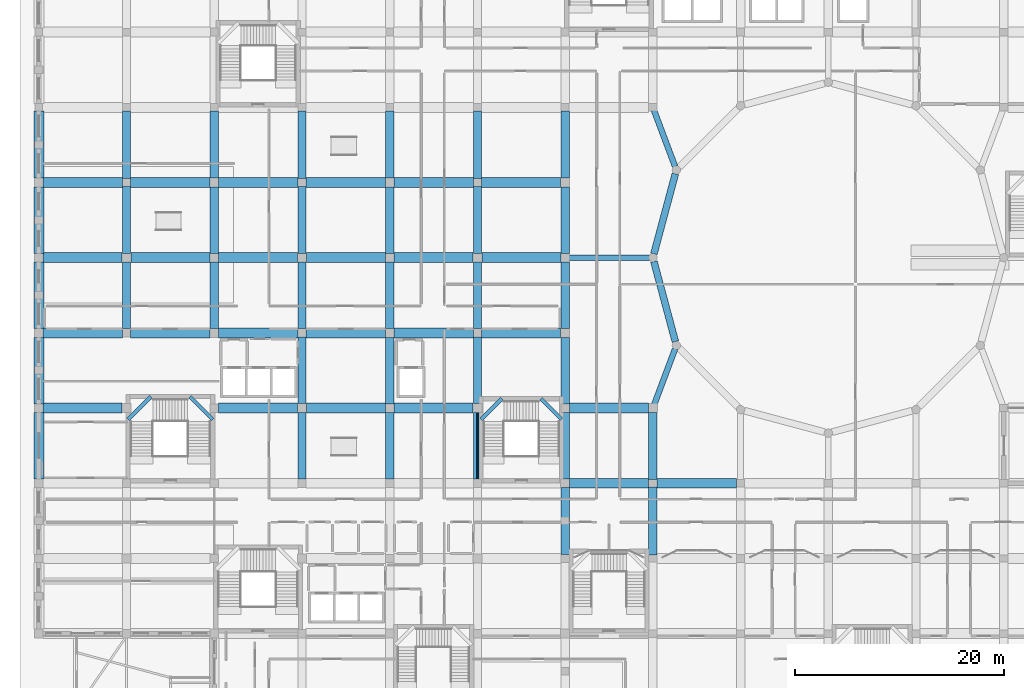
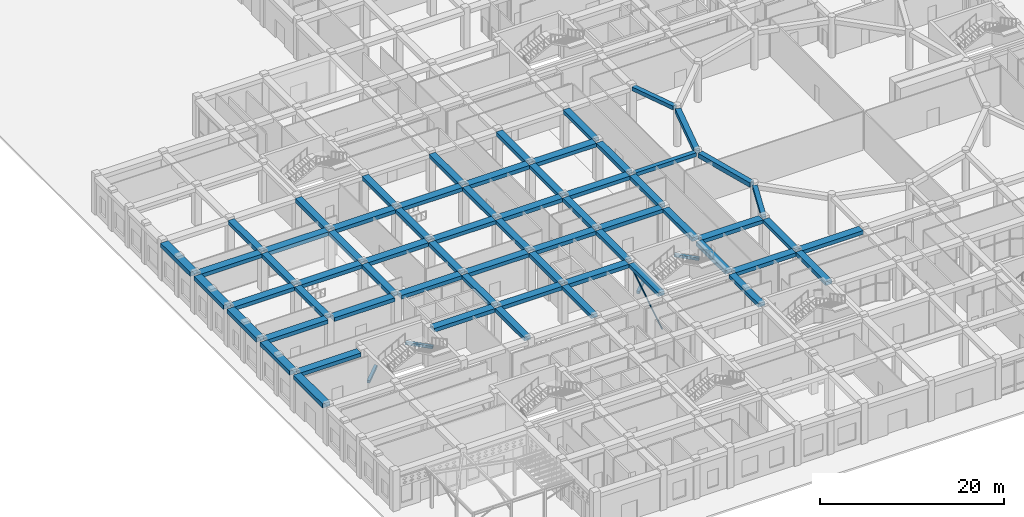
# One storey, part 7 of 84: 68 beams, 1 member.
"""IFC4 building model written with IfcOpenShell, lengths in metres."""

from ifc_helpers import new_model, si_unit, derived_unit, direction, frame, origin, origin_2d, place, context, subcontext, project, spatial, rectangle, hollow_circle, extrude, material, material_profile, profile_set, type_object, element, save


model = new_model("IFC4")

# Units and contexts
model_context = context("Model", 3, precision=1e-05, world=origin(), true_north=direction((0.0, 1.0)))
body_context = subcontext(model_context, "Body", "Model", "MODEL_VIEW")
ifc_project = project(units=[si_unit("LENGTHUNIT", "METRE"), si_unit("AREAUNIT", "SQUARE_METRE"), si_unit("VOLUMEUNIT", "CUBIC_METRE"), si_unit("PLANEANGLEUNIT", "RADIAN"), si_unit("MASSUNIT", "GRAM", prefix="KILO"), derived_unit("THERMALTRANSMITTANCEUNIT", [(si_unit("POWERUNIT", "WATT"), 1), (si_unit("LENGTHUNIT", "METRE"), -2), (si_unit("THERMODYNAMICTEMPERATUREUNIT", "KELVIN"), -1)])], contexts=[model_context])

# Site, building, storey
site_placement = place(None, origin())
site = spatial("IfcSite", under=ifc_project, at=site_placement, CompositionType="ELEMENT")
building_placement = place(site_placement, origin())
building = spatial("IfcBuilding", under=site, at=building_placement, Name="Veybourne Emporium", CompositionType="ELEMENT")
storey_placement = place(building_placement, origin())
storey = spatial("IfcBuildingStorey", under=building, at=storey_placement, Name="L00", CompositionType="ELEMENT", Elevation=0.0)

# Beams
ifc_material_1 = material(Name="Concrete C32/40", Category="concrete")
ifc_material_profile_1 = material_profile(ifc_material_1, rectangle(XDim=0.35009765625, YDim=0.35009765625, at=origin_2d()), Name="RC 350x350")
ifc_profile_set_1 = profile_set([ifc_material_profile_1], Name="Concrete C32/40")
beam_type_1 = type_object("IfcBeamType", Name="LandingBeam_LB-01", PredefinedType="BEAM", material=ifc_profile_set_1)
for number, where, z_axis, x_axis, name in (
    (1, (8.550048828125, 34.919921875, 1.425048828125), (0.707067186216, 0.70714637394, 0.0), (-0.70714637394, 0.707067186216, 0.0), "L00 ST-02 landing 1 support beam"),
    (2, (14.469970703125, 37.10009765625, 3.22509765625), (0.707067186216, -0.70714637394, 0.0), (0.70714637394, 0.707067186216, 0.0), "L00 ST-02 landing 2 support beam"),
):
    element("IfcBeam", number, at=place(storey_placement, frame(where, z_axis=z_axis, x_axis=x_axis)), inside=storey, type_object=beam_type_1, Name=name, PredefinedType="BEAM", context=body_context, shape_type="SweptSolid", body=[
        extrude(rectangle(XDim=0.35009765625, YDim=0.35009765625, at=origin_2d()), origin(), (0.0, 0.0, 1.0), 3.0830078125),
    ])
for number, where, z_axis, x_axis, name in (
    (3, (42.35009765625, 34.919921875, 1.425048828125), (0.707106781187, 0.707106781187, 0.0), (-0.707106781187, 0.707106781187, 0.0), "L00 ST-05 landing 1 support beam"),
    (4, (48.070068359375, 36.89990234375, 3.22509765625), (0.707106781187, -0.707106781187, 0.0), (0.707106781187, 0.707106781187, 0.0), "L00 ST-05 landing 2 support beam"),
):
    element("IfcBeam", number, at=place(storey_placement, frame(where, z_axis=z_axis, x_axis=x_axis)), inside=storey, type_object=beam_type_1, Name=name, PredefinedType="BEAM", context=body_context, shape_type="SweptSolid", body=[
        extrude(rectangle(XDim=0.35009765625, YDim=0.35009765625, at=origin_2d()), origin(), (0.0, 0.0, 1.0), 2.800048828125),
    ])
ifc_material_profile_2 = material_profile(ifc_material_1, rectangle(XDim=0.949951171875, YDim=0.5, at=origin_2d()), Name="RC 950x500")
ifc_profile_set_2 = profile_set([ifc_material_profile_2], Name="Concrete C32/40")
beam_type_2 = type_object("IfcBeamType", Name="RCBeam_BB-01", PredefinedType="BEAM", material=ifc_profile_set_2)
beam_1_placement = place(storey_placement, frame((0.39990234375, 36.0, 4.830078125), z_axis=(1.0, 0.0, 0.0), x_axis=(0.0, 1.0, 0.0)))
element("IfcBeam", 5, at=beam_1_placement, inside=storey, type_object=beam_type_2, Name="L00 X-grid beam BB-01 (0,5)", PredefinedType="BEAM", context=body_context, shape_type="SweptSolid", body=[
    extrude(rectangle(XDim=0.949951171875, YDim=0.5, at=origin_2d()), origin(), (0.0, 0.0, 1.0), 7.5751953125),
])
beam_2_placement = place(storey_placement, frame((0.425048828125, 43.199951171875, 4.830078125), z_axis=(1.0, 0.0, 0.0), x_axis=(0.0, 1.0, 0.0)))
element("IfcBeam", 6, at=beam_2_placement, inside=storey, type_object=beam_type_2, Name="L00 X-grid beam BB-01 (0,6)", PredefinedType="BEAM", context=body_context, shape_type="SweptSolid", body=[
    extrude(rectangle(XDim=0.949951171875, YDim=0.5, at=origin_2d()), origin(), (0.0, 0.0, 1.0), 7.574951171875),
])
beam_3_placement = place(storey_placement, frame((0.39990234375, 50.39990234375, 4.830078125), z_axis=(1.0, 0.0, 0.0), x_axis=(0.0, 1.0, 0.0)))
element("IfcBeam", 7, at=beam_3_placement, inside=storey, type_object=beam_type_2, Name="L00 X-grid beam BB-01 (0,7)", PredefinedType="BEAM", context=body_context, shape_type="SweptSolid", body=[
    extrude(rectangle(XDim=0.949951171875, YDim=0.5, at=origin_2d()), origin(), (0.0, 0.0, 1.0), 7.5751953125),
])
for number, where, z_axis, x_axis, name in (
    (8, (0.425048828125, 57.60009765625, 4.830078125), (1.0, 0.0, 0.0), (0.0, 1.0, 0.0), "L00 X-grid beam BB-01 (0,8)"),
    (9, (8.800048828125, 43.199951171875, 4.830078125), (1.0, 0.0, 0.0), (0.0, 1.0, 0.0), "L00 X-grid beam BB-01 (1,6)"),
    (10, (8.824951171875, 50.39990234375, 4.830078125), (1.0, 0.0, 0.0), (0.0, 1.0, 0.0), "L00 X-grid beam BB-01 (1,7)"),
    (11, (8.800048828125, 57.60009765625, 4.830078125), (1.0, 0.0, 0.0), (0.0, 1.0, 0.0), "L00 X-grid beam BB-01 (1,8)"),
    (12, (17.199951171875, 36.0, 4.830078125), (1.0, 0.0, 0.0), (0.0, 1.0, 0.0), "L00 X-grid beam BB-01 (2,5)"),
    (13, (17.22509765625, 43.199951171875, 4.830078125), (1.0, 0.0, 0.0), (0.0, 1.0, 0.0), "L00 X-grid beam BB-01 (2,6)"),
    (14, (17.199951171875, 50.39990234375, 4.830078125), (1.0, 0.0, 0.0), (0.0, 1.0, 0.0), "L00 X-grid beam BB-01 (2,7)"),
    (15, (17.22509765625, 57.60009765625, 4.830078125), (1.0, 0.0, 0.0), (0.0, 1.0, 0.0), "L00 X-grid beam BB-01 (2,8)"),
    (16, (25.625, 36.0, 4.830078125), (1.0, 0.0, 0.0), (0.0, 1.0, 0.0), "L00 X-grid beam BB-01 (3,5)"),
    (17, (25.60009765625, 43.199951171875, 4.830078125), (1.0, 0.0, 0.0), (0.0, 1.0, 0.0), "L00 X-grid beam BB-01 (3,6)"),
    (18, (25.625, 50.39990234375, 4.830078125), (1.0, 0.0, 0.0), (0.0, 1.0, 0.0), "L00 X-grid beam BB-01 (3,7)"),
    (19, (25.60009765625, 57.60009765625, 4.830078125), (1.0, 0.0, 0.0), (0.0, 1.0, 0.0), "L00 X-grid beam BB-01 (3,8)"),
    (20, (34.0, 36.0, 4.830078125), (1.0, 0.0, 0.0), (0.0, 1.0, 0.0), "L00 X-grid beam BB-01 (4,5)"),
):
    element("IfcBeam", number, at=place(storey_placement, frame(where, z_axis=z_axis, x_axis=x_axis)), inside=storey, type_object=beam_type_2, Name=name, PredefinedType="BEAM", context=body_context, shape_type="SweptSolid", body=[
        extrude(rectangle(XDim=0.949951171875, YDim=0.5, at=origin_2d()), origin(), (0.0, 0.0, 1.0), 7.574951171875),
    ])
beam_4_placement = place(storey_placement, frame((34.02490234375, 43.199951171875, 4.830078125), z_axis=(1.0, 0.0, 0.0), x_axis=(0.0, 1.0, 0.0)))
element("IfcBeam", 21, at=beam_4_placement, inside=storey, type_object=beam_type_2, Name="L00 X-grid beam BB-01 (4,6)", PredefinedType="BEAM", context=body_context, shape_type="SweptSolid", body=[
    extrude(rectangle(XDim=0.949951171875, YDim=0.5, at=origin_2d()), origin(), (0.0, 0.0, 1.0), 7.5751953125),
])
beam_5_placement = place(storey_placement, frame((34.0, 50.39990234375, 4.830078125), z_axis=(1.0, 0.0, 0.0), x_axis=(0.0, 1.0, 0.0)))
element("IfcBeam", 22, at=beam_5_placement, inside=storey, type_object=beam_type_2, Name="L00 X-grid beam BB-01 (4,7)", PredefinedType="BEAM", context=body_context, shape_type="SweptSolid", body=[
    extrude(rectangle(XDim=0.949951171875, YDim=0.5, at=origin_2d()), origin(), (0.0, 0.0, 1.0), 7.574951171875),
])
for number, where, z_axis, x_axis, name in (
    (23, (34.02490234375, 57.60009765625, 4.830078125), (1.0, 0.0, 0.0), (0.0, 1.0, 0.0), "L00 X-grid beam BB-01 (4,8)"),
    (24, (42.39990234375, 43.199951171875, 4.830078125), (1.0, 0.0, 0.0), (0.0, 1.0, 0.0), "L00 X-grid beam BB-01 (5,6)"),
):
    element("IfcBeam", number, at=place(storey_placement, frame(where, z_axis=z_axis, x_axis=x_axis)), inside=storey, type_object=beam_type_2, Name=name, PredefinedType="BEAM", context=body_context, shape_type="SweptSolid", body=[
        extrude(rectangle(XDim=0.949951171875, YDim=0.5, at=origin_2d()), origin(), (0.0, 0.0, 1.0), 7.5751953125),
    ])
beam_6_placement = place(storey_placement, frame((42.425048828125, 50.39990234375, 4.830078125), z_axis=(1.0, 0.0, 0.0), x_axis=(0.0, 1.0, 0.0)))
element("IfcBeam", 25, at=beam_6_placement, inside=storey, type_object=beam_type_2, Name="L00 X-grid beam BB-01 (5,7)", PredefinedType="BEAM", context=body_context, shape_type="SweptSolid", body=[
    extrude(rectangle(XDim=0.949951171875, YDim=0.5, at=origin_2d()), origin(), (0.0, 0.0, 1.0), 7.574951171875),
])
beam_7_placement = place(storey_placement, frame((42.39990234375, 57.60009765625, 4.830078125), z_axis=(1.0, 0.0, 0.0), x_axis=(0.0, 1.0, 0.0)))
element("IfcBeam", 26, at=beam_7_placement, inside=storey, type_object=beam_type_2, Name="L00 X-grid beam BB-01 (5,8)", PredefinedType="BEAM", context=body_context, shape_type="SweptSolid", body=[
    extrude(rectangle(XDim=0.949951171875, YDim=0.5, at=origin_2d()), origin(), (0.0, 0.0, 1.0), 7.5751953125),
])
for number, where, z_axis, x_axis, name in (
    (27, (50.824951171875, 28.800048828125, 4.830078125), (1.0, 0.0, 0.0), (0.0, 1.0, 0.0), "L00 X-grid beam BB-01 (6,4)"),
    (28, (50.800048828125, 36.0, 4.830078125), (1.0, 0.0, 0.0), (0.0, 1.0, 0.0), "L00 X-grid beam BB-01 (6,5)"),
):
    element("IfcBeam", number, at=place(storey_placement, frame(where, z_axis=z_axis, x_axis=x_axis)), inside=storey, type_object=beam_type_2, Name=name, PredefinedType="BEAM", context=body_context, shape_type="SweptSolid", body=[
        extrude(rectangle(XDim=0.949951171875, YDim=0.5, at=origin_2d()), origin(), (0.0, 0.0, 1.0), 7.574951171875),
    ])
beam_8_placement = place(storey_placement, frame((59.199951171875, 28.800048828125, 4.830078125), z_axis=(1.0, 0.0, 0.0), x_axis=(0.0, 1.0, 0.0)))
element("IfcBeam", 29, at=beam_8_placement, inside=storey, type_object=beam_type_2, Name="L00 X-grid beam BB-01 (7,4)", PredefinedType="BEAM", context=body_context, shape_type="SweptSolid", body=[
    extrude(rectangle(XDim=0.949951171875, YDim=0.5, at=origin_2d()), origin(), (0.0, 0.0, 1.0), 7.625),
])
ifc_material_profile_3 = material_profile(ifc_material_1, rectangle(XDim=0.800048828125, YDim=0.5, at=origin_2d()), Name="RC 800x500")
ifc_profile_set_3 = profile_set([ifc_material_profile_3], Name="Concrete C32/40")
beam_type_3 = type_object("IfcBeamType", Name="RCBeam_BB-02", PredefinedType="BEAM", material=ifc_profile_set_3)
for number, where, z_axis, x_axis, name in (
    (30, (8.39990234375, 43.60009765625, 4.830078125), (0.0, 1.0, 0.0), (-1.0, 0.0, 0.0), "L00 Y-grid beam BB-02 (1,6)"),
    (31, (8.39990234375, 50.824951171875, 4.830078125), (0.0, 1.0, 0.0), (-1.0, 0.0, 0.0), "L00 Y-grid beam BB-02 (1,7)"),
):
    element("IfcBeam", number, at=place(storey_placement, frame(where, z_axis=z_axis, x_axis=x_axis)), inside=storey, type_object=beam_type_3, Name=name, PredefinedType="BEAM", context=body_context, shape_type="SweptSolid", body=[
        extrude(rectangle(XDim=0.800048828125, YDim=0.5, at=origin_2d()), origin(), (0.0, 0.0, 1.0), 6.375),
    ])
beam_9_placement = place(storey_placement, frame((8.39990234375, 58.0, 4.830078125), z_axis=(0.0, 1.0, 0.0), x_axis=(-1.0, 0.0, 0.0)))
element("IfcBeam", 32, at=beam_9_placement, inside=storey, type_object=beam_type_3, Name="L00 Y-grid beam BB-02 (1,8)", PredefinedType="BEAM", context=body_context, shape_type="SweptSolid", body=[
    extrude(rectangle(XDim=0.800048828125, YDim=0.5, at=origin_2d()), origin(), (0.0, 0.0, 1.0), 6.449951171875),
])
for number, where, z_axis, x_axis, name in (
    (33, (16.800048828125, 43.625, 4.830078125), (0.0, 1.0, 0.0), (-1.0, 0.0, 0.0), "L00 Y-grid beam BB-02 (2,6)"),
    (34, (16.800048828125, 50.800048828125, 4.830078125), (0.0, 1.0, 0.0), (-1.0, 0.0, 0.0), "L00 Y-grid beam BB-02 (2,7)"),
):
    element("IfcBeam", number, at=place(storey_placement, frame(where, z_axis=z_axis, x_axis=x_axis)), inside=storey, type_object=beam_type_3, Name=name, PredefinedType="BEAM", context=body_context, shape_type="SweptSolid", body=[
        extrude(rectangle(XDim=0.800048828125, YDim=0.5, at=origin_2d()), origin(), (0.0, 0.0, 1.0), 6.375),
    ])
beam_10_placement = place(storey_placement, frame((16.800048828125, 58.02490234375, 4.830078125), z_axis=(0.0, 1.0, 0.0), x_axis=(-1.0, 0.0, 0.0)))
element("IfcBeam", 35, at=beam_10_placement, inside=storey, type_object=beam_type_3, Name="L00 Y-grid beam BB-02 (2,8)", PredefinedType="BEAM", context=body_context, shape_type="SweptSolid", body=[
    extrude(rectangle(XDim=0.800048828125, YDim=0.5, at=origin_2d()), origin(), (0.0, 0.0, 1.0), 6.400146484375),
])
for number, where, z_axis, x_axis, name in (
    (36, (25.199951171875, 29.199951171875, 4.830078125), (0.0, 1.0, 0.0), (-1.0, 0.0, 0.0), "L00 Y-grid beam BB-02 (3,4)"),
    (37, (25.199951171875, 36.425048828125, 4.830078125), (0.0, 1.0, 0.0), (-1.0, 0.0, 0.0), "L00 Y-grid beam BB-02 (3,5)"),
    (38, (25.199951171875, 43.60009765625, 4.830078125), (0.0, 1.0, 0.0), (-1.0, 0.0, 0.0), "L00 Y-grid beam BB-02 (3,6)"),
    (39, (25.199951171875, 50.824951171875, 4.830078125), (0.0, 1.0, 0.0), (-1.0, 0.0, 0.0), "L00 Y-grid beam BB-02 (3,7)"),
):
    element("IfcBeam", number, at=place(storey_placement, frame(where, z_axis=z_axis, x_axis=x_axis)), inside=storey, type_object=beam_type_3, Name=name, PredefinedType="BEAM", context=body_context, shape_type="SweptSolid", body=[
        extrude(rectangle(XDim=0.800048828125, YDim=0.5, at=origin_2d()), origin(), (0.0, 0.0, 1.0), 6.375),
    ])
beam_11_placement = place(storey_placement, frame((25.199951171875, 58.0, 4.830078125), z_axis=(0.0, 1.0, 0.0), x_axis=(-1.0, 0.0, 0.0)))
element("IfcBeam", 40, at=beam_11_placement, inside=storey, type_object=beam_type_3, Name="L00 Y-grid beam BB-02 (3,8)", PredefinedType="BEAM", context=body_context, shape_type="SweptSolid", body=[
    extrude(rectangle(XDim=0.800048828125, YDim=0.5, at=origin_2d()), origin(), (0.0, 0.0, 1.0), 6.449951171875),
])
for number, where, z_axis, x_axis, name in (
    (41, (33.60009765625, 29.22509765625, 4.830078125), (0.0, 1.0, 0.0), (-1.0, 0.0, 0.0), "L00 Y-grid beam BB-02 (4,4)"),
    (42, (33.60009765625, 36.39990234375, 4.830078125), (0.0, 1.0, 0.0), (-1.0, 0.0, 0.0), "L00 Y-grid beam BB-02 (4,5)"),
    (43, (33.60009765625, 43.625, 4.830078125), (0.0, 1.0, 0.0), (-1.0, 0.0, 0.0), "L00 Y-grid beam BB-02 (4,6)"),
    (44, (33.60009765625, 50.800048828125, 4.830078125), (0.0, 1.0, 0.0), (-1.0, 0.0, 0.0), "L00 Y-grid beam BB-02 (4,7)"),
):
    element("IfcBeam", number, at=place(storey_placement, frame(where, z_axis=z_axis, x_axis=x_axis)), inside=storey, type_object=beam_type_3, Name=name, PredefinedType="BEAM", context=body_context, shape_type="SweptSolid", body=[
        extrude(rectangle(XDim=0.800048828125, YDim=0.5, at=origin_2d()), origin(), (0.0, 0.0, 1.0), 6.375),
    ])
beam_12_placement = place(storey_placement, frame((33.60009765625, 58.02490234375, 4.830078125), z_axis=(0.0, 1.0, 0.0), x_axis=(-1.0, 0.0, 0.0)))
element("IfcBeam", 45, at=beam_12_placement, inside=storey, type_object=beam_type_3, Name="L00 Y-grid beam BB-02 (4,8)", PredefinedType="BEAM", context=body_context, shape_type="SweptSolid", body=[
    extrude(rectangle(XDim=0.800048828125, YDim=0.5, at=origin_2d()), origin(), (0.0, 0.0, 1.0), 6.400146484375),
])
for number, where, z_axis, x_axis, name in (
    (46, (42.0, 29.199951171875, 4.830078125), (0.0, 1.0, 0.0), (-1.0, 0.0, 0.0), "L00 Y-grid beam BB-02 (5,4)"),
    (47, (42.0, 36.425048828125, 4.830078125), (0.0, 1.0, 0.0), (-1.0, 0.0, 0.0), "L00 Y-grid beam BB-02 (5,5)"),
    (48, (42.0, 43.60009765625, 4.830078125), (0.0, 1.0, 0.0), (-1.0, 0.0, 0.0), "L00 Y-grid beam BB-02 (5,6)"),
    (49, (42.0, 50.824951171875, 4.830078125), (0.0, 1.0, 0.0), (-1.0, 0.0, 0.0), "L00 Y-grid beam BB-02 (5,7)"),
):
    element("IfcBeam", number, at=place(storey_placement, frame(where, z_axis=z_axis, x_axis=x_axis)), inside=storey, type_object=beam_type_3, Name=name, PredefinedType="BEAM", context=body_context, shape_type="SweptSolid", body=[
        extrude(rectangle(XDim=0.800048828125, YDim=0.5, at=origin_2d()), origin(), (0.0, 0.0, 1.0), 6.375),
    ])
beam_13_placement = place(storey_placement, frame((42.0, 58.0, 4.830078125), z_axis=(0.0, 1.0, 0.0), x_axis=(-1.0, 0.0, 0.0)))
element("IfcBeam", 50, at=beam_13_placement, inside=storey, type_object=beam_type_3, Name="L00 Y-grid beam BB-02 (5,8)", PredefinedType="BEAM", context=body_context, shape_type="SweptSolid", body=[
    extrude(rectangle(XDim=0.800048828125, YDim=0.5, at=origin_2d()), origin(), (0.0, 0.0, 1.0), 6.449951171875),
])
for number, where, z_axis, x_axis, name in (
    (51, (50.39990234375, 22.0, 4.830078125), (0.0, 1.0, 0.0), (-1.0, 0.0, 0.0), "L00 Y-grid beam BB-02 (6,3)"),
    (52, (50.39990234375, 29.22509765625, 4.830078125), (0.0, 1.0, 0.0), (-1.0, 0.0, 0.0), "L00 Y-grid beam BB-02 (6,4)"),
    (53, (50.39990234375, 36.39990234375, 4.830078125), (0.0, 1.0, 0.0), (-1.0, 0.0, 0.0), "L00 Y-grid beam BB-02 (6,5)"),
    (54, (50.39990234375, 43.625, 4.830078125), (0.0, 1.0, 0.0), (-1.0, 0.0, 0.0), "L00 Y-grid beam BB-02 (6,6)"),
    (55, (50.39990234375, 50.800048828125, 4.830078125), (0.0, 1.0, 0.0), (-1.0, 0.0, 0.0), "L00 Y-grid beam BB-02 (6,7)"),
):
    element("IfcBeam", number, at=place(storey_placement, frame(where, z_axis=z_axis, x_axis=x_axis)), inside=storey, type_object=beam_type_3, Name=name, PredefinedType="BEAM", context=body_context, shape_type="SweptSolid", body=[
        extrude(rectangle(XDim=0.800048828125, YDim=0.5, at=origin_2d()), origin(), (0.0, 0.0, 1.0), 6.375),
    ])
beam_14_placement = place(storey_placement, frame((50.39990234375, 58.02490234375, 4.830078125), z_axis=(0.0, 1.0, 0.0), x_axis=(-1.0, 0.0, 0.0)))
element("IfcBeam", 56, at=beam_14_placement, inside=storey, type_object=beam_type_3, Name="L00 Y-grid beam BB-02 (6,8)", PredefinedType="BEAM", context=body_context, shape_type="SweptSolid", body=[
    extrude(rectangle(XDim=0.800048828125, YDim=0.5, at=origin_2d()), origin(), (0.0, 0.0, 1.0), 6.400146484375),
])
beam_15_placement = place(storey_placement, frame((58.800048828125, 21.949951171875, 4.830078125), z_axis=(0.0, 1.0, 0.0), x_axis=(-1.0, 0.0, 0.0)))
element("IfcBeam", 57, at=beam_15_placement, inside=storey, type_object=beam_type_3, Name="L00 Y-grid beam BB-02 (7,3)", PredefinedType="BEAM", context=body_context, shape_type="SweptSolid", body=[
    extrude(rectangle(XDim=0.800048828125, YDim=0.5, at=origin_2d()), origin(), (0.0, 0.0, 1.0), 6.5),
])
beam_16_placement = place(storey_placement, frame((58.800048828125, 29.14990234375, 4.830078125), z_axis=(0.0, 1.0, 0.0), x_axis=(-1.0, 0.0, 0.0)))
element("IfcBeam", 58, at=beam_16_placement, inside=storey, type_object=beam_type_3, Name="L00 Y-grid beam BB-02 (7,4)", PredefinedType="BEAM", context=body_context, shape_type="SweptSolid", body=[
    extrude(rectangle(XDim=0.800048828125, YDim=0.5, at=origin_2d()), origin(), (0.0, 0.0, 1.0), 6.425048828125),
])
ifc_material_profile_4 = material_profile(ifc_material_1, rectangle(XDim=0.949951171875, YDim=0.550048828125, at=origin_2d()), Name="RC 950x550")
ifc_profile_set_4 = profile_set([ifc_material_profile_4], Name="Concrete C32/40")
beam_type_4 = type_object("IfcBeamType", Name="RCBeam_EB-01", PredefinedType="SPANDREL", material=ifc_profile_set_4)
for number, where, z_axis, x_axis, name in (
    (59, (0.0, 29.22509765625, 4.804931640625), (0.0, 1.0, 0.0), (-1.0, 0.0, 0.0), "L00 Y-grid beam EB-01 (0,4)"),
    (60, (0.0, 36.39990234375, 4.804931640625), (0.0, 1.0, 0.0), (-1.0, 0.0, 0.0), "L00 Y-grid beam EB-01 (0,5)"),
    (61, (0.0, 43.625, 4.804931640625), (0.0, 1.0, 0.0), (-1.0, 0.0, 0.0), "L00 Y-grid beam EB-01 (0,6)"),
    (62, (0.0, 50.800048828125, 4.804931640625), (0.0, 1.0, 0.0), (-1.0, 0.0, 0.0), "L00 Y-grid beam EB-01 (0,7)"),
):
    element("IfcBeam", number, at=place(storey_placement, frame(where, z_axis=z_axis, x_axis=x_axis)), inside=storey, type_object=beam_type_4, Name=name, PredefinedType="SPANDREL", context=body_context, shape_type="SweptSolid", body=[
        extrude(rectangle(XDim=0.949951171875, YDim=0.550048828125, at=origin_2d()), origin(), (0.0, 0.0, 1.0), 6.375),
    ])
beam_17_placement = place(storey_placement, frame((0.0, 58.02490234375, 4.804931640625), z_axis=(0.0, 1.0, 0.0), x_axis=(-1.0, 0.0, 0.0)))
element("IfcBeam", 63, at=beam_17_placement, inside=storey, type_object=beam_type_4, Name="L00 Y-grid beam EB-01 (0,8)", PredefinedType="SPANDREL", context=body_context, shape_type="SweptSolid", body=[
    extrude(rectangle(XDim=0.949951171875, YDim=0.550048828125, at=origin_2d()), origin(), (0.0, 0.0, 1.0), 6.400146484375),
])
ifc_material_profile_5 = material_profile(ifc_material_1, rectangle(XDim=0.64990234375, YDim=0.60009765625, at=origin_2d()), Name="RC 650x600")
ifc_profile_set_5 = profile_set([ifc_material_profile_5], Name="Concrete C32/40")
beam_type_5 = type_object("IfcBeamType", Name="RCBeam_EB-02", PredefinedType="BEAM", material=ifc_profile_set_5)
beam_18_placement = place(storey_placement, frame((60.952392578125, 58.432861328125, 4.780029296875), z_axis=(-0.258809381222, -0.965928415666, 0.0), x_axis=(0.965928415666, -0.258809381222, 0.0)))
element("IfcBeam", 64, at=beam_18_placement, inside=storey, type_object=beam_type_5, Name="Atrium ring beam EB-02 L00-06", PredefinedType="BEAM", context=body_context, shape_type="SweptSolid", body=[
    extrude(rectangle(XDim=0.64990234375, YDim=0.60009765625, at=origin_2d()), origin(), (0.0, 0.0, 1.0), 7.936279296875),
])
beam_19_placement = place(storey_placement, frame((58.8984375, 50.032958984375, 4.780029296875), z_axis=(0.258801690951, -0.965930476153, 0.0), x_axis=(0.965930476153, 0.258801690951, 0.0)))
element("IfcBeam", 65, at=beam_19_placement, inside=storey, type_object=beam_type_5, Name="Atrium ring beam EB-02 L00-07", PredefinedType="BEAM", context=body_context, shape_type="SweptSolid", body=[
    extrude(rectangle(XDim=0.64990234375, YDim=0.60009765625, at=origin_2d()), origin(), (0.0, 0.0, 1.0), 7.9365234375),
])
ifc_material_profile_6 = material_profile(ifc_material_1, rectangle(XDim=0.550048828125, YDim=0.5, at=origin_2d()), Name="RC 550x500")
ifc_profile_set_6 = profile_set([ifc_material_profile_6], Name="Concrete C32/40")
beam_type_6 = type_object("IfcBeamType", Name="RCBeam_TB-01", PredefinedType="BEAM", material=ifc_profile_set_6)
beam_20_placement = place(storey_placement, frame((60.931396484375, 59.118408203125, 4.830078125), z_axis=(-0.351234565667, 0.936287498518, 0.0), x_axis=(-0.936287498518, -0.351234565667, 0.0)))
element("IfcBeam", 66, at=beam_20_placement, inside=storey, type_object=beam_type_6, Name="Atrium radial tie beam L00-06", PredefinedType="BEAM", context=body_context, shape_type="SweptSolid", body=[
    extrude(rectangle(XDim=0.550048828125, YDim=0.5, at=origin_2d()), origin(), (0.0, 0.0, 1.0), 5.7783203125),
])
beam_21_placement = place(storey_placement, frame((58.4599609375, 50.39990234375, 4.830078125), z_axis=(-1.0, 0.0, 0.0), x_axis=(0.0, -1.0, 0.0)))
element("IfcBeam", 67, at=beam_21_placement, inside=storey, type_object=beam_type_6, Name="Atrium radial tie beam L00-07", PredefinedType="BEAM", context=body_context, shape_type="SweptSolid", body=[
    extrude(rectangle(XDim=0.550048828125, YDim=0.5, at=origin_2d()), origin(), (0.0, 0.0, 1.0), 7.719970703125),
])
beam_22_placement = place(storey_placement, frame((60.931396484375, 41.681640625, 4.830078125), z_axis=(-0.351236028796, -0.936286949645, 0.0), x_axis=(0.936286949645, -0.351236028796, 0.0)))
element("IfcBeam", 68, at=beam_22_placement, inside=storey, type_object=beam_type_6, Name="Atrium radial tie beam L00-08", PredefinedType="BEAM", context=body_context, shape_type="SweptSolid", body=[
    extrude(rectangle(XDim=0.550048828125, YDim=0.5, at=origin_2d()), origin(), (0.0, 0.0, 1.0), 5.703125),
])

# Member
ifc_material_2 = material(Name="Steel S355", Category="steel")
ifc_material_profile_7 = material_profile(ifc_material_2, hollow_circle(Radius=0.084228515625, WallThickness=0.008056640625, at=origin_2d()), Name="CHS 168.3x8.0")
ifc_profile_set_7 = profile_set([ifc_material_profile_7], Name="Steel S355")
member_type = type_object("IfcMemberType", Name="SteelMem_DB-01", PredefinedType="BRACE", material=ifc_profile_set_7)
member_placement = place(storey_placement, frame((42.0, 29.02001953125, 0.25), z_axis=(0.0, 0.847717828206, 0.530447437303), x_axis=(-1.0, 0.0, 0.0)))
element("IfcMember", 69, at=member_placement, inside=storey, type_object=member_type, Name="Internal lateral frame brace DB-01.04 (L00)", PredefinedType="BRACE", context=body_context, shape_type="SweptSolid", body=[
    extrude(hollow_circle(Radius=0.084228515625, WallThickness=0.008056640625, at=origin_2d()), origin(), (0.0, 0.0, 1.0), 7.974365234375),
])

save(model, "model.ifc")
